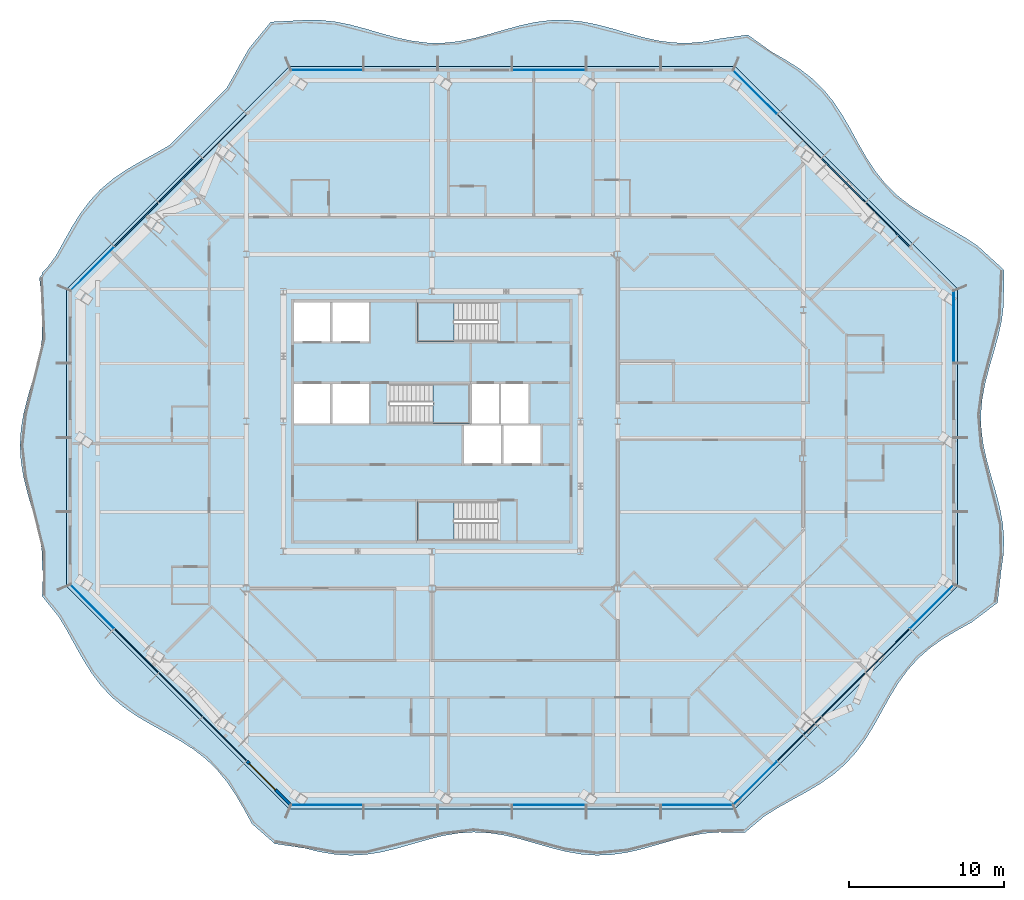
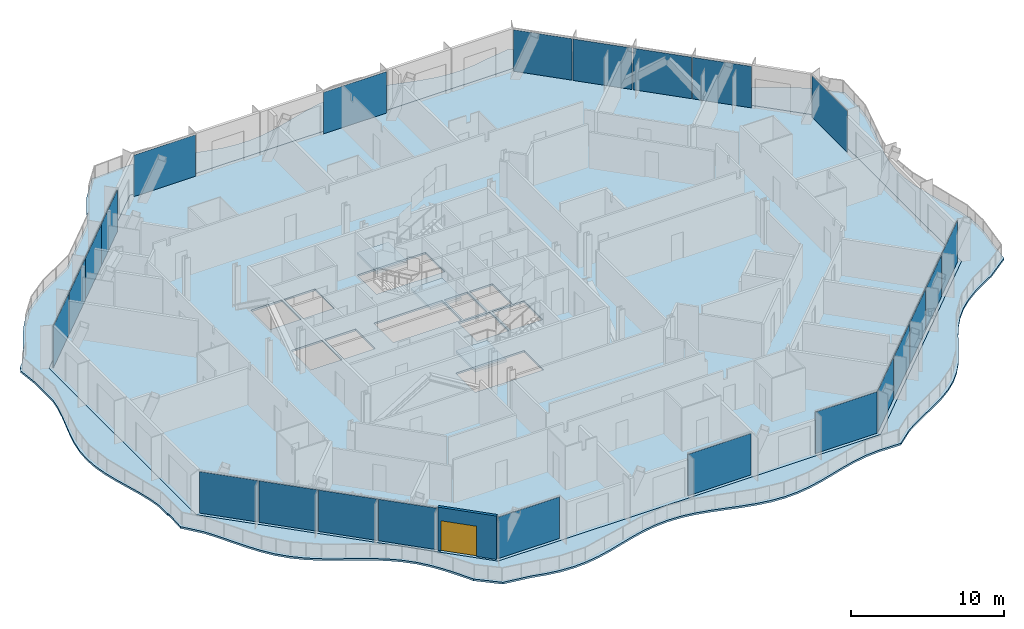
# One storey, part 6 of 19: 23 plates, 5 slabs, 1 door, 1 wall, 1 opening, 10 elements without a shape of their own.
"""IFC4 building model written with IfcOpenShell, lengths in metres."""

from ifc_helpers import new_model, si_unit, direction, frame, frame_2d, origin, origin_2d, place, context, subcontext, project, spatial, polyline, rectangle, outline, extrude, material, layer, layer_set, type_object, element, fill, aggregate, save


model = new_model("IFC4")

# Units and contexts
model_context = context("Model", 3, precision=1e-05, world=origin(), true_north=direction((0.0, 1.0)))
body_context = subcontext(model_context, "Body", "Model", "MODEL_VIEW")
ifc_project = project(units=[si_unit("LENGTHUNIT", "METRE"), si_unit("AREAUNIT", "SQUARE_METRE"), si_unit("VOLUMEUNIT", "CUBIC_METRE"), si_unit("PLANEANGLEUNIT", "RADIAN"), si_unit("MASSUNIT", "GRAM", prefix="KILO")], contexts=[model_context])

# Site, building, storey
site_placement = place(None, origin())
site = spatial("IfcSite", under=ifc_project, at=site_placement, CompositionType="ELEMENT")
building_placement = place(site_placement, origin())
building = spatial("IfcBuilding", under=site, at=building_placement, Name="Cairn Pilgrim Tower", CompositionType="ELEMENT")
storey_placement = place(building_placement, frame((0.0, 0.0, 190.199951171875)))
storey = spatial("IfcBuildingStorey", under=building, at=storey_placement, Name="L48", CompositionType="ELEMENT", Elevation=190.199951171875)

# Slabs
ifc_material_1 = material(Name="Concrete C35/45", Category="concrete")
ifc_layer_1 = layer(ifc_material_1, 0.14990234375)
ifc_layer_set_1 = layer_set([ifc_layer_1], Name="BALCONY SLAB 150 CONCRETE C35/45")
slab_type_1 = type_object("IfcSlabType", Name="BALCONY SLAB 150 CONCRETE C35/45", PredefinedType="FLOOR", material=ifc_layer_set_1)
slab_1_placement = place(storey_placement, frame((0.0, 0.0, -0.14990234375)))
element("IfcSlab", 1, at=slab_1_placement, inside=storey, type_object=slab_type_1, Name="Balcony slab BS-1", PredefinedType="FLOOR", context=body_context, shape_type="SweptSolid", body=[
    extrude(outline(polyline([(-5.14599609375, 25.591064453125), (-5.655517578125, 24.660400390625), (-6.091064453125, 23.908935546875), (-9.7353515625, 20.2646484375), (-9.835693359375, 20.20068359375), (-10.756103515625, 19.68115234375), (-11.68603515625, 19.1708984375), (-12.592041015625, 18.63720703125), (-13.4453125, 18.05029296875), (-14.224365234375, 17.389404296875), (-14.920166015625, 16.645263671875), (-15.536376953125, 15.8212890625), (-16.08935546875, 14.934326171875), (-16.605712890625, 14.0107421875), (-17.1171875, 13.082275390625), (-17.69775390625, 12.30224609375), (-18.0, 12.0), (-18.0, 11.896240234375), (-18.167236328125, 11.671630859375), (-18.0, 10.005859375), (-18.0, 7.751708984375), (-18.131591796875, 6.907958984375), (-18.37353515625, 5.8974609375), (-18.662353515625, 4.886962890625), (-18.953125, 3.876220703125), (-19.20068359375, 2.86572265625), (-19.36669921875, 1.855224609375), (-19.425048828125, 0.8447265625), (-19.36669921875, -0.165771484375), (-19.201171875, -1.17626953125), (-18.95361328125, -2.186767578125), (-18.662841796875, -3.197265625), (-18.3740234375, -4.2080078125), (-18.1318359375, -5.218505859375), (-18.0, -6.063232421875), (-18.0, -7.199951171875), (-17.9267578125, -7.273193359375), (-17.9931640625, -8.899658203125), (-16.93798828125, -10.202880859375), (-16.3984375, -11.103515625), (-15.886962890625, -12.031982421875), (-15.37060546875, -12.95556640625), (-14.817138671875, -13.84228515625), (-14.20068359375, -14.66552734375), (-13.50439453125, -15.409423828125), (-12.724609375, -16.069580078125), (-11.87109375, -16.656005859375), (-10.964599609375, -17.189697265625), (-10.03466796875, -17.69970703125), (-9.114501953125, -18.219482421875), (-8.235595703125, -18.780517578125), (-7.4228515625, -19.407958984375), (-6.691162109375, -20.1162109375), (-6.042236328125, -20.9072265625), (-5.46484375, -21.77001953125), (-4.936767578125, -22.681640625), (-4.42724609375, -23.6123046875), (-2.95703125, -24.89990234375), (-1.031982421875, -25.18505859375), (-0.038818359375, -25.427490234375), (0.954345703125, -25.590576171875), (1.947509765625, -25.64990234375), (2.9404296875, -25.5966796875), (3.93359375, -25.43896484375), (4.9267578125, -25.2001953125), (5.919921875, -24.916259765625), (6.912841796875, -24.6298828125), (7.906005859375, -24.38427734375), (8.899169921875, -24.216064453125), (9.892333984375, -24.150390625), (10.88525390625, -24.197509765625), (11.87841796875, -24.349853515625), (12.87158203125, -24.585205078125), (13.86474609375, -24.867431640625), (14.857666015625, -25.15478515625), (15.850830078125, -25.40380859375), (16.843994140625, -25.5771484375), (17.837158203125, -25.64892578125), (18.830078125, -25.608154296875), (19.8232421875, -25.4609375), (20.81640625, -25.2294921875), (21.8095703125, -24.94873046875), (22.802490234375, -24.66064453125), (23.795654296875, -24.408203125), (24.788818359375, -24.22998046875), (25.781982421875, -24.152099609375), (27.41162109375, -24.186767578125), (28.685302734375, -23.1201171875), (29.572021484375, -22.567138671875), (30.495849609375, -22.05078125), (31.42431640625, -21.539306640625), (32.32470703125, -20.99951171875), (33.16845703125, -20.4033203125), (33.93603515625, -19.731201171875), (34.6201171875, -18.97509765625), (35.226318359375, -18.141357421875), (35.772216796875, -17.247314453125), (36.285888671875, -16.32080078125), (36.79931640625, -15.39453125), (37.345458984375, -14.50048828125), (37.95166015625, -13.666748046875), (38.635986328125, -12.910888671875), (39.403564453125, -12.23876953125), (40.24755859375, -11.642578125), (41.14794921875, -11.10302734375), (42.076416015625, -10.591552734375), (43.756103515625, -9.319091796875), (43.990478515625, -7.239501953125), (44.136962890625, -6.22900390625), (44.1728515625, -5.218505859375), (44.09228515625, -4.2080078125), (43.908203125, -3.197265625), (43.64892578125, -2.186767578125), (43.35498046875, -1.17626953125), (43.07177734375, -0.165771484375), (42.843505859375, 0.8447265625), (42.70556640625, 1.855224609375), (42.679443359375, 2.86572265625), (42.769287109375, 3.876220703125), (42.9609375, 4.886962890625), (43.224853515625, 5.8974609375), (43.519775390625, 6.907958984375), (43.800048828125, 7.91845703125), (44.02197265625, 8.928955078125), (44.151123046875, 9.939453125), (44.167236328125, 12.189453125), (42.5, 13.715087890625), (41.637451171875, 14.29248046875), (40.725830078125, 14.82080078125), (39.79541015625, 15.330322265625), (38.879150390625, 15.85400390625), (38.008056640625, 16.423095703125), (37.2060546875, 17.061279296875), (36.486328125, 17.78125), (35.848388671875, 18.58349609375), (35.279541015625, 19.45458984375), (34.755859375, 20.370849609375), (34.246337890625, 21.301513671875), (33.718017578125, 22.212890625), (33.140380859375, 23.075439453125), (32.490966796875, 23.865966796875), (31.7587890625, 24.57373046875), (30.94580078125, 25.20068359375), (30.06640625, 25.761474609375), (29.14599609375, 26.281005859375), (27.619140625, 27.38818359375), (25.781982421875, 27.130615234375), (24.788818359375, 26.943359375), (23.795654296875, 26.85498046875), (22.802490234375, 26.87841796875), (21.8095703125, 27.010009765625), (20.81640625, 27.23046875), (19.8232421875, 27.50634765625), (18.830078125, 27.796142578125), (17.837158203125, 28.056640625), (16.843994140625, 28.24853515625), (15.850830078125, 28.343017578125), (14.857666015625, 28.325927734375), (13.86474609375, 28.19970703125), (12.87158203125, 27.983642578125), (11.87841796875, 27.709716796875), (10.88525390625, 27.41943359375), (9.892333984375, 27.15625), (8.899169921875, 26.959716796875), (7.906005859375, 26.859375), (6.912841796875, 26.8701171875), (5.919921875, 26.990478515625), (4.9267578125, 27.20263671875), (3.93359375, 27.47412109375), (2.9404296875, 27.7646484375), (1.947509765625, 28.030517578125), (0.954345703125, 28.231689453125), (-0.038818359375, 28.337890625), (-1.031982421875, 28.33349609375), (-3.21337890625, 28.21875), (-4.622314453125, 26.50732421875), (-5.14599609375, 25.591064453125)]), holes=[polyline([(26.77490234375, -22.64990234375), (-2.02490234375, -22.64990234375), (-16.425048828125, -8.25), (-16.425048828125, 10.949951171875), (-2.02490234375, 25.35009765625), (26.77490234375, 25.35009765625), (41.175048828125, 10.949951171875), (41.175048828125, -8.25), (26.77490234375, -22.64990234375)])]), origin(), (0.0, 0.0, 1.0), 0.14990234375),
])
ifc_layer_2 = layer(ifc_material_1, 0.14990234375)
ifc_layer_set_2 = layer_set([ifc_layer_2], Name="COMPOSITE FLOOR SLAB 150")
slab_type_2 = type_object("IfcSlabType", Name="COMPOSITE FLOOR SLAB 150", PredefinedType="FLOOR", material=ifc_layer_set_2)
slab_2_placement = place(storey_placement, frame((0.0, 0.0, -0.14990234375)))
element("IfcSlab", 2, at=slab_2_placement, inside=storey, type_object=slab_type_2, Name="FLOOR SLAB L48", PredefinedType="FLOOR", context=body_context, shape_type="SweptSolid", body=[
    extrude(outline(polyline([(-2.02490234375, -22.64990234375), (26.77490234375, -22.64990234375), (41.175048828125, -8.25), (41.175048828125, 10.949951171875), (26.77490234375, 25.35009765625), (-2.02490234375, 25.35009765625), (-16.425048828125, 10.949951171875), (-16.425048828125, -8.25), (-2.02490234375, -22.64990234375)]), holes=[polyline([(9.27490234375, -0.324951171875), (11.675048828125, -0.324951171875), (11.675048828125, 2.125), (9.27490234375, 2.125), (9.27490234375, -0.324951171875)]), polyline([(11.824951171875, -0.324951171875), (14.22509765625, -0.324951171875), (14.22509765625, 2.125), (11.824951171875, 2.125), (11.824951171875, -0.324951171875)]), polyline([(-1.72509765625, 2.27490234375), (0.625, 2.27490234375), (0.625, 4.824951171875), (-1.72509765625, 4.824951171875), (-1.72509765625, 2.27490234375)]), polyline([(0.77490234375, 2.27490234375), (3.125, 2.27490234375), (3.125, 4.824951171875), (0.77490234375, 4.824951171875), (0.77490234375, 2.27490234375)]), polyline([(-1.72509765625, 7.574951171875), (0.625, 7.574951171875), (0.625, 10.10009765625), (-1.72509765625, 10.10009765625), (-1.72509765625, 7.574951171875)]), polyline([(0.77490234375, 7.574951171875), (3.125, 7.574951171875), (3.125, 10.10009765625), (0.77490234375, 10.10009765625), (0.77490234375, 7.574951171875)]), polyline([(9.77490234375, 2.27490234375), (11.52490234375, 2.27490234375), (11.52490234375, 4.824951171875), (9.77490234375, 4.824951171875), (9.77490234375, 2.27490234375)]), polyline([(11.675048828125, 2.27490234375), (13.425048828125, 2.27490234375), (13.425048828125, 4.824951171875), (11.675048828125, 4.824951171875), (11.675048828125, 2.27490234375)]), polyline([(11.424560546875, -2.77490234375), (6.27490234375, -2.77490234375), (6.27490234375, -5.300048828125), (11.424560546875, -5.300048828125), (11.424560546875, -2.77490234375)]), polyline([(4.4755859375, 2.27490234375), (9.625, 2.27490234375), (9.625, 4.824951171875), (4.4755859375, 4.824951171875), (4.4755859375, 2.27490234375)]), polyline([(11.424560546875, 10.10009765625), (6.27490234375, 10.10009765625), (6.27490234375, 7.574951171875), (11.424560546875, 7.574951171875), (11.424560546875, 10.10009765625)])]), origin(), (0.0, 0.0, 1.0), 0.14990234375),
])

# Curtain wall, plates
ifc_material_2 = material(Name="Aluminium alloy 6063-T6 bronze anodised with Bronze tinted laminated low-E glass 8+16+8.8", Category="aluminium")
curtain_wall_type_1 = type_object("IfcCurtainWallType", Name="CHAMFER CORNER CURTAIN WALL", PredefinedType="NOTDEFINED", material=ifc_material_2)
curtain_wall_1_placement = place(storey_placement, origin())
curtain_wall_1 = element("IfcCurtainWall", 3, at=curtain_wall_1_placement, inside=storey, type_object=curtain_wall_type_1, Name="Chamfer Corner Curtain Wall SE", PredefinedType="NOTDEFINED")
ifc_material_3 = material(Name="Bronze anodised aluminium spandrel panel with mineral wool insulation", Category="aluminium")
ifc_layer_3 = layer(ifc_material_3, 0.06005859375)
ifc_layer_set_3 = layer_set([ifc_layer_3], Name="SPANDREL PANEL 3972x3300")
plate_type_1 = type_object("IfcPlateType", Name="SPANDREL PANEL 3972x3300", PredefinedType="CURTAIN_PANEL", material=ifc_layer_set_3)
plate_1_placement = place(storey_placement, frame((30.947509765625, -18.1240234375, 0.0), z_axis=(0.0, 0.0, 1.0), x_axis=(0.707106781187, 0.707106781187, 0.0)))
plate_1 = element("IfcPlate", 4, at=plate_1_placement, type_object=plate_type_1, Name="Spandrel Panel SE2-1", PredefinedType="CURTAIN_PANEL", context=body_context, shape_type="SweptSolid", body=[
    extrude(rectangle(XDim=3.971435546875, YDim=0.06005859375, at=origin_2d()), origin(), (0.0, 0.0, 1.0), 3.300048828125),
])
plate_2_placement = place(storey_placement, frame((33.79833984375, -15.273193359375, 0.0), z_axis=(0.0, 0.0, 1.0), x_axis=(0.707106781187, 0.707106781187, 0.0)))
plate_2 = element("IfcPlate", 5, at=plate_2_placement, type_object=plate_type_1, Name="Spandrel Panel SE3-1", PredefinedType="CURTAIN_PANEL", context=body_context, shape_type="SweptSolid", body=[
    extrude(rectangle(XDim=3.971435546875, YDim=0.06005859375, at=origin_2d()), origin(), (0.0, 0.0, 1.0), 3.300048828125),
])
plate_3_placement = place(storey_placement, frame((36.64892578125, -12.422607421875, 0.0), z_axis=(0.0, 0.0, 1.0), x_axis=(0.707106781187, 0.707106781187, 0.0)))
plate_3 = element("IfcPlate", 6, at=plate_3_placement, type_object=plate_type_1, Name="Spandrel Panel SE4-1", PredefinedType="CURTAIN_PANEL", context=body_context, shape_type="SweptSolid", body=[
    extrude(rectangle(XDim=3.971435546875, YDim=0.06005859375, at=origin_2d()), origin(), (0.0, 0.0, 1.0), 3.300048828125),
])

curtain_wall_2_placement = place(storey_placement, origin())
curtain_wall_2 = element("IfcCurtainWall", 7, at=curtain_wall_2_placement, inside=storey, type_object=curtain_wall_type_1, Name="Chamfer Corner Curtain Wall NE", PredefinedType="NOTDEFINED")
plate_4_placement = place(storey_placement, frame((36.64892578125, 15.12255859375, 0.0), z_axis=(0.0, 0.0, 1.0), x_axis=(-0.707106781187, 0.707106781187, 0.0)))
plate_4 = element("IfcPlate", 8, at=plate_4_placement, type_object=plate_type_1, Name="Spandrel Panel NE2-1", PredefinedType="CURTAIN_PANEL", context=body_context, shape_type="SweptSolid", body=[
    extrude(rectangle(XDim=3.971435546875, YDim=0.06005859375, at=origin_2d()), origin(), (0.0, 0.0, 1.0), 3.300048828125),
])
plate_5_placement = place(storey_placement, frame((33.79833984375, 17.97314453125, 0.0), z_axis=(0.0, 0.0, 1.0), x_axis=(-0.707106781187, 0.707106781187, 0.0)))
plate_5 = element("IfcPlate", 9, at=plate_5_placement, type_object=plate_type_1, Name="Spandrel Panel NE3-1", PredefinedType="CURTAIN_PANEL", context=body_context, shape_type="SweptSolid", body=[
    extrude(rectangle(XDim=3.971435546875, YDim=0.06005859375, at=origin_2d()), origin(), (0.0, 0.0, 1.0), 3.300048828125),
])
plate_6_placement = place(storey_placement, frame((30.947509765625, 20.823974609375, 0.0), z_axis=(0.0, 0.0, 1.0), x_axis=(-0.707106781187, 0.707106781187, 0.0)))
plate_6 = element("IfcPlate", 10, at=plate_6_placement, type_object=plate_type_1, Name="Spandrel Panel NE4-1", PredefinedType="CURTAIN_PANEL", context=body_context, shape_type="SweptSolid", body=[
    extrude(rectangle(XDim=3.971435546875, YDim=0.06005859375, at=origin_2d()), origin(), (0.0, 0.0, 1.0), 3.300048828125),
])

curtain_wall_3_placement = place(storey_placement, origin())
curtain_wall_3 = element("IfcCurtainWall", 11, at=curtain_wall_3_placement, inside=storey, type_object=curtain_wall_type_1, Name="Chamfer Corner Curtain Wall NW", PredefinedType="NOTDEFINED")
plate_7_placement = place(storey_placement, frame((-6.197509765625, 20.823974609375, 0.0), z_axis=(0.0, 0.0, 1.0), x_axis=(-0.707106781187, -0.707106781187, 0.0)))
plate_7 = element("IfcPlate", 12, at=plate_7_placement, type_object=plate_type_1, Name="Spandrel Panel NW2-1", PredefinedType="CURTAIN_PANEL", context=body_context, shape_type="SweptSolid", body=[
    extrude(rectangle(XDim=3.971435546875, YDim=0.06005859375, at=origin_2d()), origin(), (0.0, 0.0, 1.0), 3.300048828125),
])
plate_8_placement = place(storey_placement, frame((-9.04833984375, 17.97314453125, 0.0), z_axis=(0.0, 0.0, 1.0), x_axis=(-0.707106781187, -0.707106781187, 0.0)))
plate_8 = element("IfcPlate", 13, at=plate_8_placement, type_object=plate_type_1, Name="Spandrel Panel NW3-1", PredefinedType="CURTAIN_PANEL", context=body_context, shape_type="SweptSolid", body=[
    extrude(rectangle(XDim=3.971435546875, YDim=0.06005859375, at=origin_2d()), origin(), (0.0, 0.0, 1.0), 3.300048828125),
])
plate_9_placement = place(storey_placement, frame((-11.89892578125, 15.12255859375, 0.0), z_axis=(0.0, 0.0, 1.0), x_axis=(-0.707106781187, -0.707106781187, 0.0)))
plate_9 = element("IfcPlate", 14, at=plate_9_placement, type_object=plate_type_1, Name="Spandrel Panel NW4-1", PredefinedType="CURTAIN_PANEL", context=body_context, shape_type="SweptSolid", body=[
    extrude(rectangle(XDim=3.971435546875, YDim=0.06005859375, at=origin_2d()), origin(), (0.0, 0.0, 1.0), 3.300048828125),
])

curtain_wall_4_placement = place(storey_placement, origin())
curtain_wall_4 = element("IfcCurtainWall", 15, at=curtain_wall_4_placement, inside=storey, type_object=curtain_wall_type_1, Name="Chamfer Corner Curtain Wall SW", PredefinedType="NOTDEFINED")
plate_10_placement = place(storey_placement, frame((-11.89892578125, -12.422607421875, 0.0), z_axis=(0.0, 0.0, 1.0), x_axis=(0.707106781187, -0.707106781187, 0.0)))
plate_10 = element("IfcPlate", 16, at=plate_10_placement, type_object=plate_type_1, Name="Spandrel Panel SW2-1", PredefinedType="CURTAIN_PANEL", context=body_context, shape_type="SweptSolid", body=[
    extrude(rectangle(XDim=3.971435546875, YDim=0.06005859375, at=origin_2d()), origin(), (0.0, 0.0, 1.0), 3.300048828125),
])
plate_11_placement = place(storey_placement, frame((-9.04833984375, -15.273193359375, 0.0), z_axis=(0.0, 0.0, 1.0), x_axis=(0.707106781187, -0.707106781187, 0.0)))
plate_11 = element("IfcPlate", 17, at=plate_11_placement, type_object=plate_type_1, Name="Spandrel Panel SW3-1", PredefinedType="CURTAIN_PANEL", context=body_context, shape_type="SweptSolid", body=[
    extrude(rectangle(XDim=3.971435546875, YDim=0.06005859375, at=origin_2d()), origin(), (0.0, 0.0, 1.0), 3.300048828125),
])
plate_12_placement = place(storey_placement, frame((-6.197509765625, -18.1240234375, 0.0), z_axis=(0.0, 0.0, 1.0), x_axis=(0.707106781187, -0.707106781187, 0.0)))
plate_12 = element("IfcPlate", 18, at=plate_12_placement, type_object=plate_type_1, Name="Spandrel Panel SW4-1", PredefinedType="CURTAIN_PANEL", context=body_context, shape_type="SweptSolid", body=[
    extrude(rectangle(XDim=3.971435546875, YDim=0.06005859375, at=origin_2d()), origin(), (0.0, 0.0, 1.0), 3.300048828125),
])

# Stair, slab
ifc_material_4 = material(Name="Concrete C32/40", Category="concrete")
stair_type = type_object("IfcStairType", Name="EXIT STAIR 1200", PredefinedType="HALF_TURN_STAIR", material=ifc_material_4)
stair_1_placement = place(storey_placement, origin())
stair_1 = element("IfcStair", 19, at=stair_1_placement, inside=storey, type_object=stair_type, Name="L48 Exit Stair A", PredefinedType="HALF_TURN_STAIR")
ifc_layer_4 = layer(ifc_material_4, 0.199951171875)
ifc_layer_set_4 = layer_set([ifc_layer_4], Name="STAIR LANDING 200")
slab_type_3 = type_object("IfcSlabType", Name="STAIR LANDING 200", PredefinedType="LANDING", material=ifc_layer_set_4)
slab_3_placement = place(storey_placement, frame((0.0, 0.0, 1.60009765625)))
slab_3 = element("IfcSlab", 20, at=slab_3_placement, type_object=slab_type_3, Name="ST-A landing 1", PredefinedType="LANDING", context=body_context, shape_type="SweptSolid", body=[
    extrude(outline(polyline([(8.625, -2.77490234375), (6.27490234375, -2.77490234375), (6.27490234375, -5.300048828125), (8.625, -5.300048828125), (8.625, -2.77490234375)])), origin(), (0.0, 0.0, 1.0), 0.199951171875),
])
aggregate(stair_1, [slab_3])

stair_2_placement = place(storey_placement, origin())
stair_2 = element("IfcStair", 21, at=stair_2_placement, inside=storey, type_object=stair_type, Name="L48 Exit Stair B", PredefinedType="HALF_TURN_STAIR")
slab_4_placement = place(storey_placement, frame((0.0, 0.0, 1.60009765625)))
slab_4 = element("IfcSlab", 22, at=slab_4_placement, type_object=slab_type_3, Name="ST-B landing 1", PredefinedType="LANDING", context=body_context, shape_type="SweptSolid", body=[
    extrude(outline(polyline([(7.27490234375, 2.27490234375), (9.625, 2.27490234375), (9.625, 4.824951171875), (7.27490234375, 4.824951171875), (7.27490234375, 2.27490234375)])), origin(), (0.0, 0.0, 1.0), 0.199951171875),
])
aggregate(stair_2, [slab_4])

stair_3_placement = place(storey_placement, origin())
stair_3 = element("IfcStair", 23, at=stair_3_placement, inside=storey, type_object=stair_type, Name="L48 Exit Stair C", PredefinedType="HALF_TURN_STAIR")
slab_5_placement = place(storey_placement, frame((0.0, 0.0, 1.60009765625)))
slab_5 = element("IfcSlab", 24, at=slab_5_placement, type_object=slab_type_3, Name="ST-C landing 1", PredefinedType="LANDING", context=body_context, shape_type="SweptSolid", body=[
    extrude(outline(polyline([(8.625, 10.10009765625), (6.27490234375, 10.10009765625), (6.27490234375, 7.574951171875), (8.625, 7.574951171875), (8.625, 10.10009765625)])), origin(), (0.0, 0.0, 1.0), 0.199951171875),
])
aggregate(stair_3, [slab_5])

# Plate
ifc_material_5 = material(Name="Bronze tinted laminated low-E glass 8+16+8.8", Category="glass")
ifc_layer_5 = layer(ifc_material_5, 0.033935546875)
ifc_layer_set_5 = layer_set([ifc_layer_5], Name="VISION GLAZING 3962x3300")
plate_type_2 = type_object("IfcPlateType", Name="VISION GLAZING 3962x3300", PredefinedType="CURTAIN_PANEL", material=ifc_layer_set_5)
plate_13_placement = place(storey_placement, frame((28.100341796875, -20.97119140625, 0.0), z_axis=(0.0, 0.0, 1.0), x_axis=(0.707106781187, 0.707106781187, 0.0)))
plate_13 = element("IfcPlate", 25, at=plate_13_placement, type_object=plate_type_2, Name="Vision Glazing SE1-1", PredefinedType="CURTAIN_PANEL", context=body_context, shape_type="SweptSolid", body=[
    extrude(rectangle(XDim=3.96142578125, YDim=0.033935546875, at=origin_2d()), origin(), (0.0, 0.0, 1.0), 3.300048828125),
])

plate_14_placement = place(storey_placement, frame((39.49609375, -9.575439453125, 0.0), z_axis=(0.0, 0.0, 1.0), x_axis=(0.707106781187, 0.707106781187, 0.0)))
plate_14 = element("IfcPlate", 26, at=plate_14_placement, type_object=plate_type_2, Name="Vision Glazing SE5-1", PredefinedType="CURTAIN_PANEL", context=body_context, shape_type="SweptSolid", body=[
    extrude(rectangle(XDim=3.96142578125, YDim=0.033935546875, at=origin_2d()), origin(), (0.0, 0.0, 1.0), 3.300048828125),
])

aggregate(curtain_wall_1, [plate_13, plate_1, plate_2, plate_3, plate_14])

plate_15_placement = place(storey_placement, frame((28.100341796875, 23.671142578125, 0.0), z_axis=(0.0, 0.0, 1.0), x_axis=(-0.707106781187, 0.707106781187, 0.0)))
plate_15 = element("IfcPlate", 27, at=plate_15_placement, type_object=plate_type_2, Name="Vision Glazing NE5-1", PredefinedType="CURTAIN_PANEL", context=body_context, shape_type="SweptSolid", body=[
    extrude(rectangle(XDim=3.96142578125, YDim=0.033935546875, at=origin_2d()), origin(), (0.0, 0.0, 1.0), 3.300048828125),
])

aggregate(curtain_wall_2, [plate_4, plate_5, plate_6, plate_15])

plate_16_placement = place(storey_placement, frame((-14.74609375, 12.275390625, 0.0), z_axis=(0.0, 0.0, 1.0), x_axis=(-0.707106781187, -0.707106781187, 0.0)))
plate_16 = element("IfcPlate", 28, at=plate_16_placement, type_object=plate_type_2, Name="Vision Glazing NW5-1", PredefinedType="CURTAIN_PANEL", context=body_context, shape_type="SweptSolid", body=[
    extrude(rectangle(XDim=3.96142578125, YDim=0.033935546875, at=origin_2d()), origin(), (0.0, 0.0, 1.0), 3.300048828125),
])

aggregate(curtain_wall_3, [plate_7, plate_8, plate_9, plate_16])

plate_17_placement = place(storey_placement, frame((-14.74609375, -9.575439453125, 0.0), z_axis=(0.0, 0.0, 1.0), x_axis=(0.707106781187, -0.707106781187, 0.0)))
plate_17 = element("IfcPlate", 29, at=plate_17_placement, type_object=plate_type_2, Name="Vision Glazing SW1-1", PredefinedType="CURTAIN_PANEL", context=body_context, shape_type="SweptSolid", body=[
    extrude(rectangle(XDim=3.96142578125, YDim=0.033935546875, at=origin_2d()), origin(), (0.0, 0.0, 1.0), 3.300048828125),
])

aggregate(curtain_wall_4, [plate_17, plate_10, plate_11, plate_12])

# Curtain wall, plates
curtain_wall_type_2 = type_object("IfcCurtainWallType", Name="TOWER STICK CURTAIN WALL NS", PredefinedType="NOTDEFINED", material=ifc_material_2)
curtain_wall_5_placement = place(storey_placement, origin())
curtain_wall_5 = element("IfcCurtainWall", 30, at=curtain_wall_5_placement, inside=storey, type_object=curtain_wall_type_2, Name="Tower Stick Curtain Wall Ns S", PredefinedType="NOTDEFINED")
ifc_layer_6 = layer(ifc_material_5, 0.033935546875)
ifc_layer_set_6 = layer_set([ifc_layer_6], Name="VISION GLAZING 4626x3300")
plate_type_3 = type_object("IfcPlateType", Name="VISION GLAZING 4626x3300", PredefinedType="CURTAIN_PANEL", material=ifc_layer_set_6)
plate_18_placement = place(storey_placement, frame((0.431884765625, -22.39990234375, 0.0), z_axis=(0.0, 0.0, 1.0), x_axis=(1.0, 0.0, 0.0)))
plate_18 = element("IfcPlate", 31, at=plate_18_placement, type_object=plate_type_3, Name="Vision Glazing S1-1", PredefinedType="CURTAIN_PANEL", context=body_context, shape_type="SweptSolid", body=[
    extrude(rectangle(XDim=4.62646484375, YDim=0.033935546875, at=origin_2d()), origin(), (0.0, 0.0, 1.0), 3.300048828125),
])
plate_19_placement = place(storey_placement, frame((24.318115234375, -22.39990234375, 0.0), z_axis=(0.0, 0.0, 1.0), x_axis=(1.0, 0.0, 0.0)))
plate_19 = element("IfcPlate", 32, at=plate_19_placement, type_object=plate_type_3, Name="Vision Glazing S6-1", PredefinedType="CURTAIN_PANEL", context=body_context, shape_type="SweptSolid", body=[
    extrude(rectangle(XDim=4.62646484375, YDim=0.033935546875, at=origin_2d()), origin(), (0.0, 0.0, 1.0), 3.300048828125),
])

# Curtain wall, plate
curtain_wall_type_3 = type_object("IfcCurtainWallType", Name="TOWER STICK CURTAIN WALL EW", PredefinedType="NOTDEFINED", material=ifc_material_2)
curtain_wall_6_placement = place(storey_placement, origin())
curtain_wall_6 = element("IfcCurtainWall", 33, at=curtain_wall_6_placement, inside=storey, type_object=curtain_wall_type_3, Name="Tower Stick Curtain Wall Ew E", PredefinedType="NOTDEFINED")
plate_20_placement = place(storey_placement, frame((40.925048828125, 8.4931640625, 0.0), z_axis=(0.0, 0.0, 1.0), x_axis=(0.0, 1.0, 0.0)))
plate_20 = element("IfcPlate", 34, at=plate_20_placement, type_object=plate_type_3, Name="Vision Glazing E4-1", PredefinedType="CURTAIN_PANEL", context=body_context, shape_type="SweptSolid", body=[
    extrude(rectangle(XDim=4.62646484375, YDim=0.033935546875, at=origin_2d()), origin(), (0.0, 0.0, 1.0), 3.300048828125),
])
aggregate(curtain_wall_6, [plate_20])

curtain_wall_7_placement = place(storey_placement, origin())
curtain_wall_7 = element("IfcCurtainWall", 35, at=curtain_wall_7_placement, inside=storey, type_object=curtain_wall_type_2, Name="Tower Stick Curtain Wall Ns N", PredefinedType="NOTDEFINED")
plate_21_placement = place(storey_placement, frame((0.431884765625, 25.10009765625, 0.0), z_axis=(0.0, 0.0, 1.0), x_axis=(-1.0, 0.0, 0.0)))
plate_21 = element("IfcPlate", 36, at=plate_21_placement, type_object=plate_type_3, Name="Vision Glazing N6-1", PredefinedType="CURTAIN_PANEL", context=body_context, shape_type="SweptSolid", body=[
    extrude(rectangle(XDim=4.62646484375, YDim=0.033935546875, at=origin_2d()), origin(), (0.0, 0.0, 1.0), 3.300048828125),
])

# Plate
ifc_layer_7 = layer(ifc_material_5, 0.033935546875)
ifc_layer_set_7 = layer_set([ifc_layer_7], Name="VISION GLAZING 4740x3300")
plate_type_4 = type_object("IfcPlateType", Name="VISION GLAZING 4740x3300", PredefinedType="CURTAIN_PANEL", material=ifc_layer_set_7)
plate_22_placement = place(storey_placement, frame((14.77490234375, -22.39990234375, 0.0), z_axis=(0.0, 0.0, 1.0), x_axis=(1.0, 0.0, 0.0)))
plate_22 = element("IfcPlate", 37, at=plate_22_placement, type_object=plate_type_4, Name="Vision Glazing S4-1", PredefinedType="CURTAIN_PANEL", context=body_context, shape_type="SweptSolid", body=[
    extrude(rectangle(XDim=4.739990234375, YDim=0.033935546875, at=origin_2d()), origin(), (0.0, 0.0, 1.0), 3.300048828125),
])

aggregate(curtain_wall_5, [plate_18, plate_22, plate_19])

plate_23_placement = place(storey_placement, frame((14.77490234375, 25.10009765625, 0.0), z_axis=(0.0, 0.0, 1.0), x_axis=(-1.0, 0.0, 0.0)))
plate_23 = element("IfcPlate", 38, at=plate_23_placement, type_object=plate_type_4, Name="Vision Glazing N3-1", PredefinedType="CURTAIN_PANEL", context=body_context, shape_type="SweptSolid", body=[
    extrude(rectangle(XDim=4.739990234375, YDim=0.033935546875, at=origin_2d()), origin(), (0.0, 0.0, 1.0), 3.300048828125),
])

aggregate(curtain_wall_7, [plate_23, plate_21])

# Wall, opening, door
ifc_material_6 = material(Name="Bronze anodised aluminium insulated sandwich panel with mineral wool fill", Category="aluminium")
ifc_layer_8 = layer(ifc_material_6, 0.199951171875)
ifc_layer_set_8 = layer_set([ifc_layer_8], Name="BRONZE INFILL FRAME WALL 200")
wall_type = type_object("IfcWallType", Name="BRONZE INFILL FRAME WALL 200", PredefinedType="NOTDEFINED", material=ifc_layer_set_8)
wall_placement = place(storey_placement, frame((-4.7509765625, -19.570556640625, 0.0), z_axis=(0.0, 0.0, 1.0), x_axis=(0.707106781187, -0.707106781187, 0.0)))
wall = element("IfcWall", 39, at=wall_placement, inside=storey, type_object=wall_type, Name="Bronze infill frame wall IW-SW5", PredefinedType="NOTDEFINED", context=body_context, shape_type="SweptSolid", body=[
    extrude(rectangle(XDim=3.961669921875, YDim=0.199951171875, at=frame_2d((1.98095703125, 0.0))), origin(), (0.0, 0.0, 1.0), 3.449951171875),
])
opening_placement = place(wall_placement, frame((0.199951171875, 0.0, 0.0)))
opening = element("IfcOpeningElement", 40, at=opening_placement, cuts=wall, Name="Opening 4818B", PredefinedType="OPENING", context=body_context, shape_type="SweptSolid", body=[
    extrude(rectangle(XDim=2.39990234375, YDim=2.39990234375, at=frame_2d((1.199951171875, 1.199951171875))), frame((0.0, 0.10986328125, 0.0), z_axis=(0.0, -1.0, 0.0), x_axis=(1.0, 0.0, 0.0)), (0.0, 0.0, 1.0), 0.219970703125),
])
ifc_material_7 = material(Name="Bronze anodised aluminium frame with tinted low-E glass", Category="aluminium")
door_type = type_object("IfcDoorType", Name="BALCONY SLIDING DOOR 2400x2400", OperationType="DOUBLE_DOOR_SLIDING", PredefinedType="DOOR", material=ifc_material_7)
door_placement = place(opening_placement, origin())
door = element("IfcDoor", 41, at=door_placement, inside=storey, type_object=door_type, Name="Balcony sliding door 4818B", OperationType="SINGLE_SWING_LEFT", OverallHeight=2.39990234375, OverallWidth=2.39990234375, PredefinedType="DOOR", context=body_context, shape_type="SweptSolid", body=[
    extrude(rectangle(XDim=2.39990234375, YDim=2.39990234375, at=frame_2d((1.199951171875, 1.199951171875))), frame((0.0, 0.02490234375, 0.0), z_axis=(0.0, -1.0, 0.0), x_axis=(1.0, 0.0, 0.0)), (0.0, 0.0, 1.0), 0.050048828125),
])
fill(opening, door)

save(model, "model.ifc")
